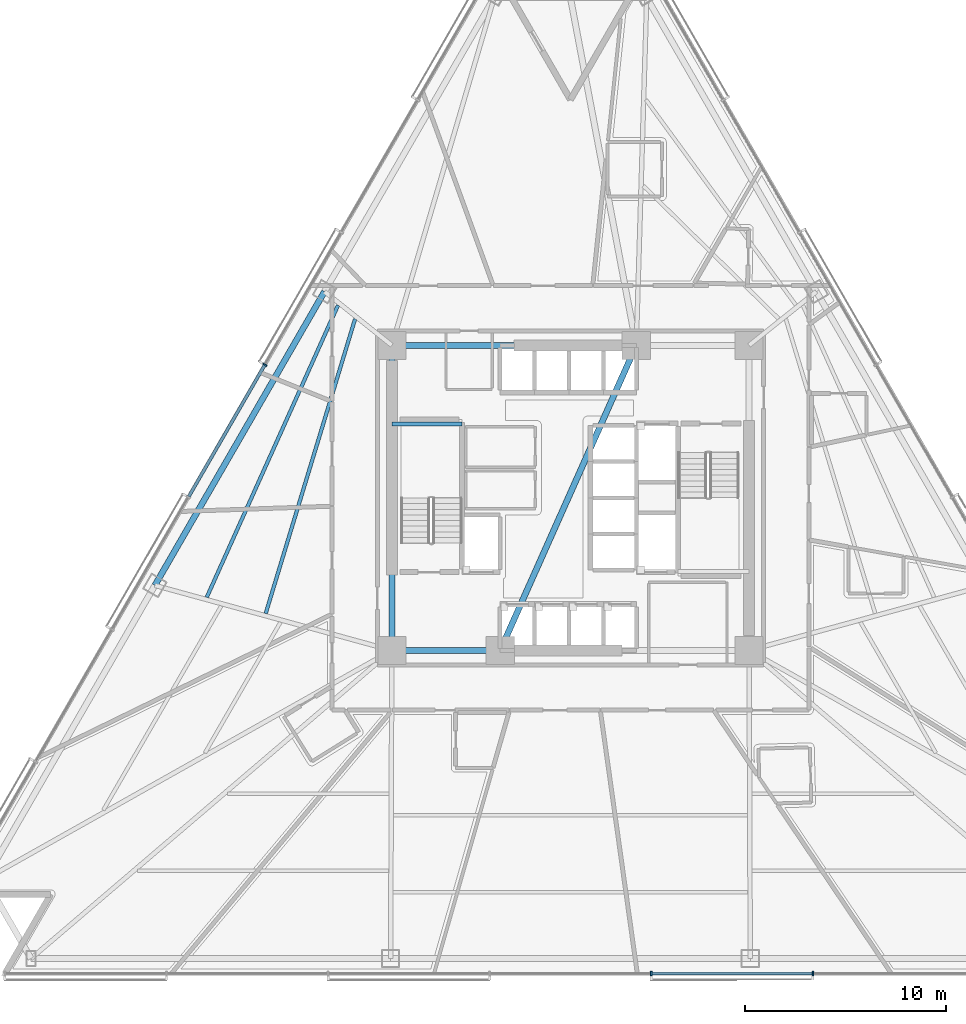
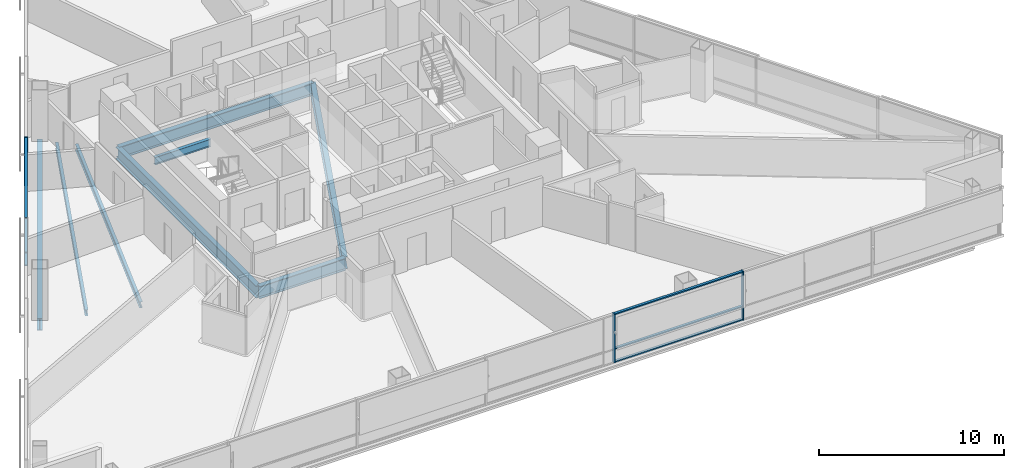
# One storey, part 3 of 17: 9 members, 8 beams, 2 elements without a shape of their own.
"""IFC4 building model written with IfcOpenShell, lengths in metres."""

from ifc_helpers import new_model, si_unit, direction, frame, origin, origin_2d, place, context, subcontext, project, spatial, rectangle, i_section, extrude, material, layer, layer_set, material_profile, profile_set, type_object, element, aggregate, save


model = new_model("IFC4")

# Units and contexts
model_context = context("Model", 3, precision=1e-05, world=origin(), true_north=direction((0.0, 1.0)))
body_context = subcontext(model_context, "Body", "Model", "MODEL_VIEW")
ifc_project = project(units=[si_unit("LENGTHUNIT", "METRE"), si_unit("AREAUNIT", "SQUARE_METRE"), si_unit("VOLUMEUNIT", "CUBIC_METRE"), si_unit("PLANEANGLEUNIT", "RADIAN"), si_unit("MASSUNIT", "GRAM", prefix="KILO")], contexts=[model_context])

# Site, building, storey
site_placement = place(None, origin())
site = spatial("IfcSite", under=ifc_project, at=site_placement, CompositionType="ELEMENT")
building_placement = place(site_placement, origin())
building = spatial("IfcBuilding", under=site, at=building_placement, Name="Tharavind Bronze Gate", CompositionType="ELEMENT")
storey_placement = place(building_placement, frame((0.0, 0.0, 35.25)))
storey = spatial("IfcBuildingStorey", under=building, at=storey_placement, Name="L07", CompositionType="ELEMENT", Elevation=35.25)

# Curtain wall, member
ifc_material_1 = material(Name="Anodised Bronze Aluminium", Category="aluminium")
ifc_layer = layer(ifc_material_1, 0.219970703125)
ifc_layer_set = layer_set([ifc_layer], Name="Anodised Bronze Aluminium")
curtain_wall_type = type_object("IfcCurtainWallType", Name="UNITISED CURTAIN WALL HOTEL", PredefinedType="USERDEFINED", material=ifc_layer_set)
curtain_wall_1_placement = place(storey_placement, origin())
curtain_wall_1 = element("IfcCurtainWall", 1, at=curtain_wall_1_placement, inside=storey, type_object=curtain_wall_type, Name="L07 unitised curtain wall hotel CW-L07-S1", ObjectType="UNITISED CURTAIN WALL", PredefinedType="USERDEFINED")
member_type_1 = type_object("IfcMemberType", Name="CURTAIN WALL MULLION 80X220", PredefinedType="MULLION", material=ifc_material_1)
member_1_placement = place(storey_placement, frame((-15.223876953125, 6.63134765625, 0.0), z_axis=(0.0, 0.0, 1.0), x_axis=(-0.500001511499, -0.866024531118, 0.0)))
member_1 = element("IfcMember", 2, at=member_1_placement, type_object=member_type_1, Name="CW-L07-S1 mullion 4", PredefinedType="MULLION", context=body_context, shape_type="SweptSolid", body=[
    extrude(rectangle(XDim=0.080078125, YDim=0.219970703125, at=origin_2d()), origin(), (0.0, 0.0, 1.0), 3.22509765625),
])

# Curtain wall, members
curtain_wall_2_placement = place(storey_placement, origin())
curtain_wall_2 = element("IfcCurtainWall", 3, at=curtain_wall_2_placement, inside=storey, type_object=curtain_wall_type, Name="L07 unitised curtain wall hotel CW-L07-S2", ObjectType="UNITISED CURTAIN WALL", PredefinedType="USERDEFINED")
member_2_placement = place(storey_placement, frame((4.025146484375, -23.699951171875, 0.0), z_axis=(0.0, 0.0, 1.0), x_axis=(1.0, 0.0, 0.0)))
member_2 = element("IfcMember", 4, at=member_2_placement, type_object=member_type_1, Name="CW-L07-S2 mullion 5", PredefinedType="MULLION", context=body_context, shape_type="SweptSolid", body=[
    extrude(rectangle(XDim=0.080078125, YDim=0.219970703125, at=origin_2d()), origin(), (0.0, 0.0, 1.0), 3.22509765625),
])
member_3_placement = place(storey_placement, frame((12.0751953125, -23.699951171875, 0.0), z_axis=(0.0, 0.0, 1.0), x_axis=(1.0, 0.0, 0.0)))
member_3 = element("IfcMember", 5, at=member_3_placement, type_object=member_type_1, Name="CW-L07-S2 mullion 6", PredefinedType="MULLION", context=body_context, shape_type="SweptSolid", body=[
    extrude(rectangle(XDim=0.080078125, YDim=0.219970703125, at=origin_2d()), origin(), (0.0, 0.0, 1.0), 3.22509765625),
])

# Member
member_type_2 = type_object("IfcMemberType", Name="CURTAIN WALL TRANSOM 80X160", PredefinedType="USERDEFINED", material=ifc_material_1)
member_4_placement = place(storey_placement, frame((-17.1279296875, 3.33349609375, 0.0), z_axis=(0.0, 0.0, 1.0), x_axis=(-0.500001511499, -0.866024531118, 0.0)))
member_4 = element("IfcMember", 6, at=member_4_placement, type_object=member_type_2, Name="CW-L07-S1 transom TB4", ObjectType="TRANSOM", PredefinedType="USERDEFINED", context=body_context, shape_type="SweptSolid", body=[
    extrude(rectangle(XDim=7.5478515625, YDim=0.159912109375, at=origin_2d()), origin(), (0.0, 0.0, 1.0), 0.080078125),
])

member_5_placement = place(storey_placement, frame((-17.1279296875, 3.33349609375, 0.85986328125), z_axis=(0.0, 0.0, 1.0), x_axis=(-0.500001511499, -0.866024531118, 0.0)))
member_5 = element("IfcMember", 7, at=member_5_placement, type_object=member_type_2, Name="CW-L07-S1 transom TS4", ObjectType="TRANSOM", PredefinedType="USERDEFINED", context=body_context, shape_type="SweptSolid", body=[
    extrude(rectangle(XDim=7.5478515625, YDim=0.159912109375, at=origin_2d()), origin(), (0.0, 0.0, 1.0), 0.080078125),
])

member_6_placement = place(storey_placement, frame((-17.1279296875, 3.33349609375, 3.14501953125), z_axis=(0.0, 0.0, 1.0), x_axis=(-0.500001511499, -0.866024531118, 0.0)))
member_6 = element("IfcMember", 8, at=member_6_placement, type_object=member_type_2, Name="CW-L07-S1 transom TT4", ObjectType="TRANSOM", PredefinedType="USERDEFINED", context=body_context, shape_type="SweptSolid", body=[
    extrude(rectangle(XDim=7.5478515625, YDim=0.159912109375, at=origin_2d()), origin(), (0.0, 0.0, 1.0), 0.080078125),
])

aggregate(curtain_wall_1, [member_1, member_4, member_5, member_6])

member_7_placement = place(storey_placement, frame((8.05029296875, -23.699951171875, 0.0), z_axis=(0.0, 0.0, 1.0), x_axis=(1.0, 0.0, 0.0)))
member_7 = element("IfcMember", 9, at=member_7_placement, type_object=member_type_2, Name="CW-L07-S2 transom TB5", ObjectType="TRANSOM", PredefinedType="USERDEFINED", context=body_context, shape_type="SweptSolid", body=[
    extrude(rectangle(XDim=7.982177734375, YDim=0.159912109375, at=origin_2d()), origin(), (0.0, 0.0, 1.0), 0.080078125),
])

member_8_placement = place(storey_placement, frame((8.05029296875, -23.699951171875, 0.85986328125), z_axis=(0.0, 0.0, 1.0), x_axis=(1.0, 0.0, 0.0)))
member_8 = element("IfcMember", 10, at=member_8_placement, type_object=member_type_2, Name="CW-L07-S2 transom TS5", ObjectType="TRANSOM", PredefinedType="USERDEFINED", context=body_context, shape_type="SweptSolid", body=[
    extrude(rectangle(XDim=7.982177734375, YDim=0.159912109375, at=origin_2d()), origin(), (0.0, 0.0, 1.0), 0.080078125),
])

member_9_placement = place(storey_placement, frame((8.05029296875, -23.699951171875, 3.14501953125), z_axis=(0.0, 0.0, 1.0), x_axis=(1.0, 0.0, 0.0)))
member_9 = element("IfcMember", 11, at=member_9_placement, type_object=member_type_2, Name="CW-L07-S2 transom TT5", ObjectType="TRANSOM", PredefinedType="USERDEFINED", context=body_context, shape_type="SweptSolid", body=[
    extrude(rectangle(XDim=7.982177734375, YDim=0.159912109375, at=origin_2d()), origin(), (0.0, 0.0, 1.0), 0.080078125),
])

aggregate(curtain_wall_2, [member_2, member_3, member_7, member_8, member_9])

# Beams
ifc_material_2 = material(Name="Steel S355", Category="steel")
ifc_material_profile_1 = material_profile(ifc_material_2, i_section(OverallWidth=0.199951171875, OverallDepth=0.5, WebThickness=0.01025390625, FlangeThickness=0.01611328125, at=origin_2d()), Name="IPE500")
ifc_profile_set_1 = profile_set([ifc_material_profile_1], Name="Steel S355")
beam_type_1 = type_object("IfcBeamType", Name="PRIMARY GIRDER IPE500", PredefinedType="USERDEFINED", material=ifc_profile_set_1)
beam_1_placement = place(storey_placement, frame((-8.89990234375, 3.679931640625, 1.25), z_axis=(1.0, 0.0, 0.0), x_axis=(0.0, 1.0, 0.0)))
element("IfcBeam", 12, at=beam_1_placement, inside=storey, type_object=beam_type_1, Name="L07 primary girder ipe500 BM-LD-ST1-L07-1", ObjectType="GIRDER", PredefinedType="USERDEFINED", context=body_context, shape_type="SweptSolid", body=[
    extrude(i_section(OverallWidth=0.199951171875, OverallDepth=0.5, WebThickness=0.01025390625, FlangeThickness=0.01611328125, at=origin_2d()), origin(), (0.0, 0.0, 1.0), 3.5),
])
ifc_material_profile_2 = material_profile(ifc_material_2, i_section(OverallWidth=0.300048828125, OverallDepth=0.800048828125, WebThickness=0.017578125, FlangeThickness=0.032958984375, at=origin_2d()), Name="HE800B")
ifc_profile_set_2 = profile_set([ifc_material_profile_2], Name="Steel S355")
beam_type_2 = type_object("IfcBeamType", Name="RING GIRDER HE800B", PredefinedType="USERDEFINED", material=ifc_profile_set_2)
beam_2_placement = place(storey_placement, frame((-8.89990234375, -7.60009765625, -0.574951171875), z_axis=(1.0, 0.0, 0.0), x_axis=(0.0, 1.0, 0.0)))
element("IfcBeam", 13, at=beam_2_placement, inside=storey, type_object=beam_type_2, Name="L07 ring girder he800b BM-L07-CR1", ObjectType="GIRDER", PredefinedType="USERDEFINED", context=body_context, shape_type="SweptSolid", body=[
    extrude(i_section(OverallWidth=0.300048828125, OverallDepth=0.800048828125, WebThickness=0.017578125, FlangeThickness=0.032958984375, at=origin_2d()), origin(), (0.0, 0.0, 1.0), 5.39990234375),
])
beam_3_placement = place(storey_placement, frame((3.280029296875, 7.60009765625, -0.574951171875), z_axis=(-1.0, 0.0, 0.0), x_axis=(0.0, -1.0, 0.0)))
element("IfcBeam", 14, at=beam_3_placement, inside=storey, type_object=beam_type_2, Name="L07 ring girder he800b BM-L07-CR5", ObjectType="GIRDER", PredefinedType="USERDEFINED", context=body_context, shape_type="SweptSolid", body=[
    extrude(i_section(OverallWidth=0.300048828125, OverallDepth=0.800048828125, WebThickness=0.017578125, FlangeThickness=0.032958984375, at=origin_2d()), origin(), (0.0, 0.0, 1.0), 12.179931640625),
])
beam_4_placement = place(storey_placement, frame((-8.89990234375, 7.60009765625, -0.574951171875), z_axis=(0.0, -1.0, 0.0), x_axis=(1.0, 0.0, 0.0)))
element("IfcBeam", 15, at=beam_4_placement, inside=storey, type_object=beam_type_2, Name="L07 ring girder he800b BM-L07-CR6", ObjectType="GIRDER", PredefinedType="USERDEFINED", context=body_context, shape_type="SweptSolid", body=[
    extrude(i_section(OverallWidth=0.300048828125, OverallDepth=0.800048828125, WebThickness=0.017578125, FlangeThickness=0.032958984375, at=origin_2d()), origin(), (0.0, 0.0, 1.0), 15.2001953125),
])
beam_5_placement = place(storey_placement, frame((-3.5, -7.60009765625, -0.574951171875), z_axis=(0.407361644566, 0.913266932795, 0.0), x_axis=(-0.913266932795, 0.407361644566, 0.0)))
element("IfcBeam", 16, at=beam_5_placement, inside=storey, type_object=beam_type_2, Name="L07 ring girder he800b BM-L07-CR7", ObjectType="GIRDER", PredefinedType="USERDEFINED", context=body_context, shape_type="SweptSolid", body=[
    extrude(i_section(OverallWidth=0.300048828125, OverallDepth=0.800048828125, WebThickness=0.017578125, FlangeThickness=0.032958984375, at=origin_2d()), origin(), (0.0, 0.0, 1.0), 16.643798828125),
])
beam_6_placement = place(storey_placement, frame((-12.252197265625, 10.278564453125, -0.574951171875), z_axis=(-0.50000832373, -0.866020598023, 0.0), x_axis=(0.866020598023, -0.50000832373, 0.0)))
element("IfcBeam", 17, at=beam_6_placement, inside=storey, type_object=beam_type_2, Name="L07 ring girder he800b BM-L07-PRG02", ObjectType="GIRDER", PredefinedType="USERDEFINED", context=body_context, shape_type="SweptSolid", body=[
    extrude(i_section(OverallWidth=0.300048828125, OverallDepth=0.800048828125, WebThickness=0.017578125, FlangeThickness=0.032958984375, at=origin_2d()), origin(), (0.0, 0.0, 1.0), 16.904541015625),
])
ifc_material_profile_3 = material_profile(ifc_material_2, i_section(OverallWidth=0.179931640625, OverallDepth=0.39990234375, WebThickness=0.008544921875, FlangeThickness=0.013427734375, at=origin_2d()), Name="IPE400")
ifc_profile_set_3 = profile_set([ifc_material_profile_3], Name="Steel S355")
beam_type_3 = type_object("IfcBeamType", Name="SECONDARY FLOOR JOIST IPE400", PredefinedType="JOIST", material=ifc_profile_set_3)
beam_7_placement = place(storey_placement, frame((-10.72900390625, 8.915771484375, -0.375), z_axis=(-0.290410798392, -0.956902068227, 0.0), x_axis=(0.956902068227, -0.290410798392, 0.0)))
element("IfcBeam", 18, at=beam_7_placement, inside=storey, type_object=beam_type_3, Name="L07 secondary floor joist ipe400 BM-L07-JSTA02", PredefinedType="JOIST", context=body_context, shape_type="SweptSolid", body=[
    extrude(i_section(OverallWidth=0.179931640625, OverallDepth=0.39990234375, WebThickness=0.008544921875, FlangeThickness=0.013427734375, at=origin_2d()), origin(), (0.0, 0.0, 1.0), 15.334716796875),
])
beam_8_placement = place(storey_placement, frame((-11.579833984375, 9.595458984375, -0.375), z_axis=(-0.40998786392, -0.91209097761, 0.0), x_axis=(0.91209097761, -0.40998786392, 0.0)))
element("IfcBeam", 19, at=beam_8_placement, inside=storey, type_object=beam_type_3, Name="L07 secondary floor joist ipe400 BM-L07-JSTB02", PredefinedType="JOIST", context=body_context, shape_type="SweptSolid", body=[
    extrude(i_section(OverallWidth=0.179931640625, OverallDepth=0.39990234375, WebThickness=0.008544921875, FlangeThickness=0.013427734375, at=origin_2d()), origin(), (0.0, 0.0, 1.0), 15.949951171875),
])

save(model, "model.ifc")
